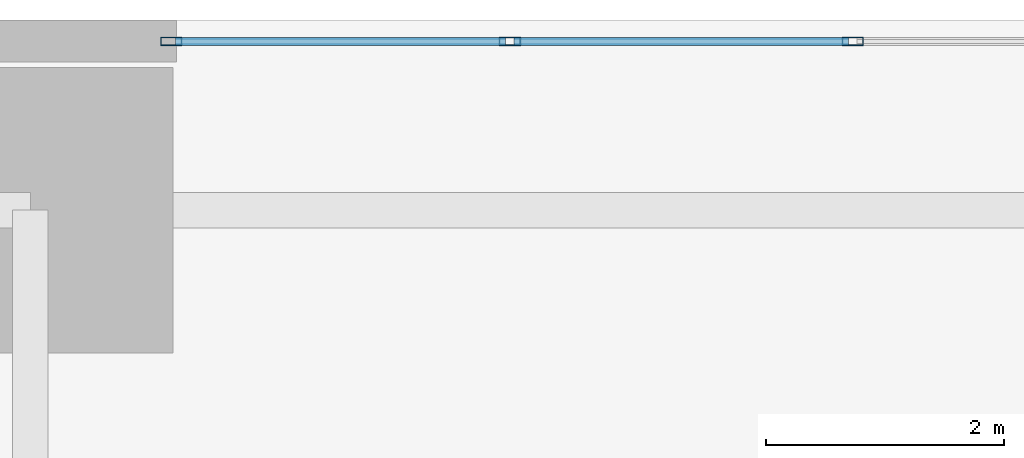
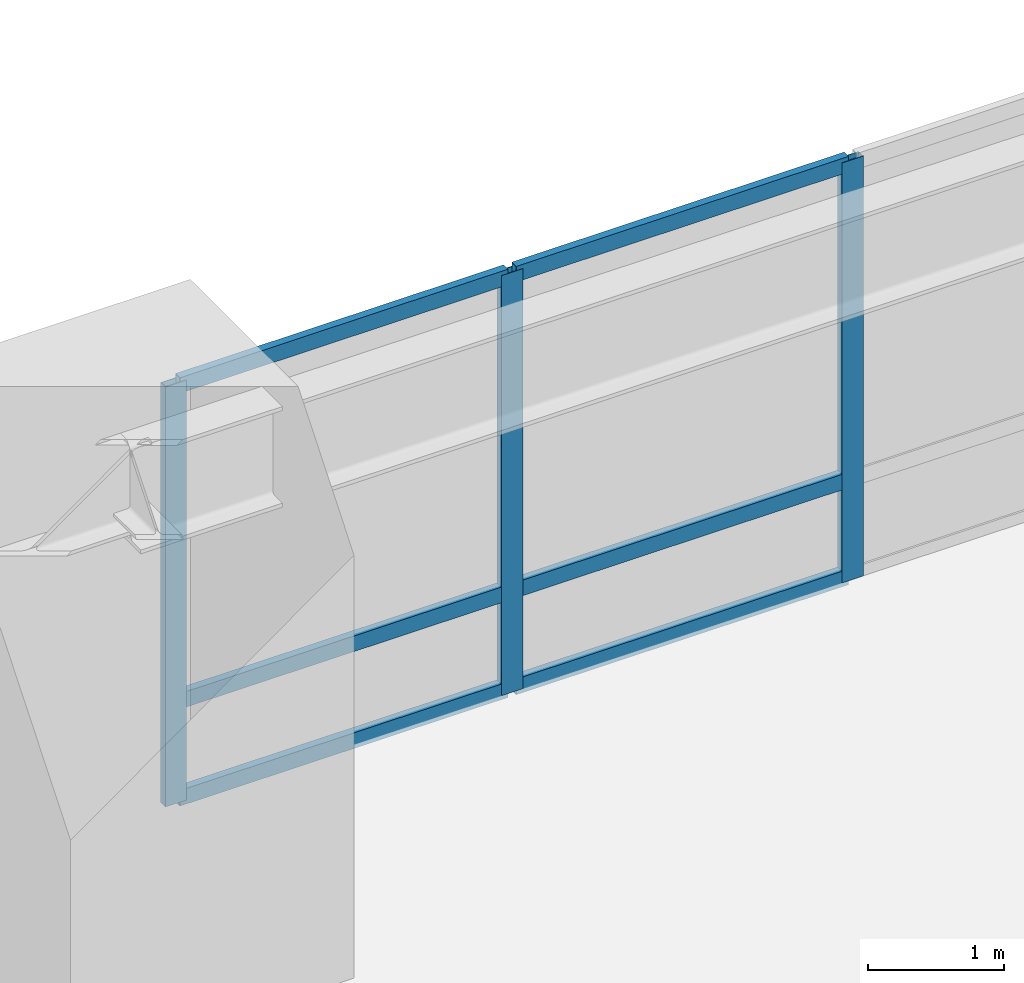
# One storey, part 10 of 17: 9 members, 1 element without a shape of its own.
"""IFC4 building model written with IfcOpenShell, lengths in metres."""

from ifc_helpers import new_model, si_unit, direction, frame, origin, origin_2d, place, context, subcontext, project, spatial, hollow_rectangle, extrude, material, layer, layer_set, material_profile, profile_set, type_object, element, aggregate, save


model = new_model("IFC4")

# Units and contexts
model_context = context("Model", 3, precision=1e-05, world=origin(), true_north=direction((0.0, 1.0)))
body_context = subcontext(model_context, "Body", "Model", "MODEL_VIEW")
ifc_project = project(units=[si_unit("LENGTHUNIT", "METRE"), si_unit("AREAUNIT", "SQUARE_METRE"), si_unit("VOLUMEUNIT", "CUBIC_METRE"), si_unit("PLANEANGLEUNIT", "RADIAN"), si_unit("MASSUNIT", "GRAM", prefix="KILO"), si_unit("THERMODYNAMICTEMPERATUREUNIT", "KELVIN"), si_unit("POWERUNIT", "WATT")], contexts=[model_context])

# Site, building, storey
site_placement = place(None, origin())
site = spatial("IfcSite", under=ifc_project, at=site_placement, CompositionType="ELEMENT")
building_placement = place(site_placement, origin())
building = spatial("IfcBuilding", under=site, at=building_placement, Name="Ocrelia Relay Tower", CompositionType="ELEMENT")
storey_placement = place(building_placement, frame((0.0, 0.0, 20.39990234375)))
storey = spatial("IfcBuildingStorey", under=building, at=storey_placement, Name="L04", CompositionType="ELEMENT", Elevation=20.39990234375)

# Curtain wall, members
ifc_material_1 = material(Name="Aluminium and solar-control low-E glass", Category="aluminium")
ifc_layer = layer(ifc_material_1, 0.179931640625, Name="Aluminium and solar-control low-E glass")
ifc_layer_set = layer_set([ifc_layer], Name="Aluminium and solar-control low-E glass")
curtain_wall_type = type_object("IfcCurtainWallType", Name="CW-SYS-POD-GALL", PredefinedType="NOTDEFINED", material=ifc_layer_set)
curtain_wall_placement = place(storey_placement, origin())
curtain_wall = element("IfcCurtainWall", 1, at=curtain_wall_placement, inside=storey, type_object=curtain_wall_type, Name="L04 North Over-Arch Curtain Wall West", PredefinedType="NOTDEFINED")
ifc_material_2 = material(Name="Anodised bronze aluminium", Category="aluminium")
ifc_material_profile_1 = material_profile(ifc_material_2, hollow_rectangle(XDim=0.070068359375, YDim=0.179931640625, WallThickness=0.006103515625, at=origin_2d()), Name="CW-MUL-180x70")
ifc_profile_set_1 = profile_set([ifc_material_profile_1], Name="Anodised bronze aluminium")
member_type_1 = type_object("IfcMemberType", Name="CW-SYS-POD-GALL-MUL", PredefinedType="MULLION", material=ifc_profile_set_1)
member_1_placement = place(storey_placement, frame((25.385009765625, 51.820068359375, 0.0), z_axis=(0.0, 0.0, 1.0), x_axis=(0.0, 1.0, 0.0)))
member_1 = element("IfcMember", 2, at=member_1_placement, type_object=member_type_1, Name="CW-PG mullion 1", PredefinedType="MULLION", context=body_context, shape_type="SweptSolid", body=[
    extrude(hollow_rectangle(XDim=0.070068359375, YDim=0.179931640625, WallThickness=0.006103515625, at=origin_2d()), origin(), (0.0, 0.0, 1.0), 3.760009765625),
])
member_2_placement = place(storey_placement, frame((28.2333984375, 51.820068359375, 0.0), z_axis=(0.0, 0.0, 1.0), x_axis=(0.0, 1.0, 0.0)))
member_2 = element("IfcMember", 3, at=member_2_placement, type_object=member_type_1, Name="CW-PG mullion 2", PredefinedType="MULLION", context=body_context, shape_type="SweptSolid", body=[
    extrude(hollow_rectangle(XDim=0.070068359375, YDim=0.179931640625, WallThickness=0.006103515625, at=origin_2d()), origin(), (0.0, 0.0, 1.0), 3.760009765625),
])
member_3_placement = place(storey_placement, frame((31.11669921875, 51.820068359375, 0.0), z_axis=(0.0, 0.0, 1.0), x_axis=(0.0, 1.0, 0.0)))
member_3 = element("IfcMember", 4, at=member_3_placement, type_object=member_type_1, Name="CW-PG mullion 3", PredefinedType="MULLION", context=body_context, shape_type="SweptSolid", body=[
    extrude(hollow_rectangle(XDim=0.070068359375, YDim=0.179931640625, WallThickness=0.006103515625, at=origin_2d()), origin(), (0.0, 0.0, 1.0), 3.760009765625),
])
ifc_material_profile_2 = material_profile(ifc_material_2, hollow_rectangle(XDim=0.06494140625, YDim=0.139892578125, WallThickness=0.0048828125, at=origin_2d()), Name="CW-TRN-140x65")
ifc_profile_set_2 = profile_set([ifc_material_profile_2], Name="Anodised bronze aluminium")
member_type_2 = type_object("IfcMemberType", Name="CW-SYS-POD-GALL-TRN", PredefinedType="USERDEFINED", material=ifc_profile_set_2)
member_4_placement = place(storey_placement, frame((25.419921875, 51.820068359375, 0.03271484375), z_axis=(1.0, 0.0, 0.0), x_axis=(0.0, 1.0, 0.0)))
member_4 = element("IfcMember", 5, at=member_4_placement, type_object=member_type_2, Name="CW-PG transom 1.1", ObjectType="TRANSOM", PredefinedType="USERDEFINED", context=body_context, shape_type="SweptSolid", body=[
    extrude(hollow_rectangle(XDim=0.06494140625, YDim=0.139892578125, WallThickness=0.0048828125, at=origin_2d()), origin(), (0.0, 0.0, 1.0), 2.7783203125),
])
member_5_placement = place(storey_placement, frame((25.419921875, 51.820068359375, 0.900146484375), z_axis=(1.0, 0.0, 0.0), x_axis=(0.0, 1.0, 0.0)))
member_5 = element("IfcMember", 6, at=member_5_placement, type_object=member_type_2, Name="CW-PG transom 1.2", ObjectType="TRANSOM", PredefinedType="USERDEFINED", context=body_context, shape_type="SweptSolid", body=[
    extrude(hollow_rectangle(XDim=0.06494140625, YDim=0.139892578125, WallThickness=0.0048828125, at=origin_2d()), origin(), (0.0, 0.0, 1.0), 2.7783203125),
])
member_6_placement = place(storey_placement, frame((25.419921875, 51.820068359375, 3.7275390625), z_axis=(1.0, 0.0, 0.0), x_axis=(0.0, 1.0, 0.0)))
member_6 = element("IfcMember", 7, at=member_6_placement, type_object=member_type_2, Name="CW-PG transom 1.3", ObjectType="TRANSOM", PredefinedType="USERDEFINED", context=body_context, shape_type="SweptSolid", body=[
    extrude(hollow_rectangle(XDim=0.06494140625, YDim=0.139892578125, WallThickness=0.0048828125, at=origin_2d()), origin(), (0.0, 0.0, 1.0), 2.7783203125),
])
member_7_placement = place(storey_placement, frame((28.268310546875, 51.820068359375, 0.03271484375), z_axis=(1.0, 0.0, 0.0), x_axis=(0.0, 1.0, 0.0)))
member_7 = element("IfcMember", 8, at=member_7_placement, type_object=member_type_2, Name="CW-PG transom 2.1", ObjectType="TRANSOM", PredefinedType="USERDEFINED", context=body_context, shape_type="SweptSolid", body=[
    extrude(hollow_rectangle(XDim=0.06494140625, YDim=0.139892578125, WallThickness=0.0048828125, at=origin_2d()), origin(), (0.0, 0.0, 1.0), 2.8134765625),
])
member_8_placement = place(storey_placement, frame((28.268310546875, 51.820068359375, 0.900146484375), z_axis=(1.0, 0.0, 0.0), x_axis=(0.0, 1.0, 0.0)))
member_8 = element("IfcMember", 9, at=member_8_placement, type_object=member_type_2, Name="CW-PG transom 2.2", ObjectType="TRANSOM", PredefinedType="USERDEFINED", context=body_context, shape_type="SweptSolid", body=[
    extrude(hollow_rectangle(XDim=0.06494140625, YDim=0.139892578125, WallThickness=0.0048828125, at=origin_2d()), origin(), (0.0, 0.0, 1.0), 2.8134765625),
])
member_9_placement = place(storey_placement, frame((28.268310546875, 51.820068359375, 3.7275390625), z_axis=(1.0, 0.0, 0.0), x_axis=(0.0, 1.0, 0.0)))
member_9 = element("IfcMember", 10, at=member_9_placement, type_object=member_type_2, Name="CW-PG transom 2.3", ObjectType="TRANSOM", PredefinedType="USERDEFINED", context=body_context, shape_type="SweptSolid", body=[
    extrude(hollow_rectangle(XDim=0.06494140625, YDim=0.139892578125, WallThickness=0.0048828125, at=origin_2d()), origin(), (0.0, 0.0, 1.0), 2.8134765625),
])
aggregate(curtain_wall, [member_1, member_2, member_3, member_4, member_5, member_6, member_7, member_8, member_9])

save(model, "model.ifc")
